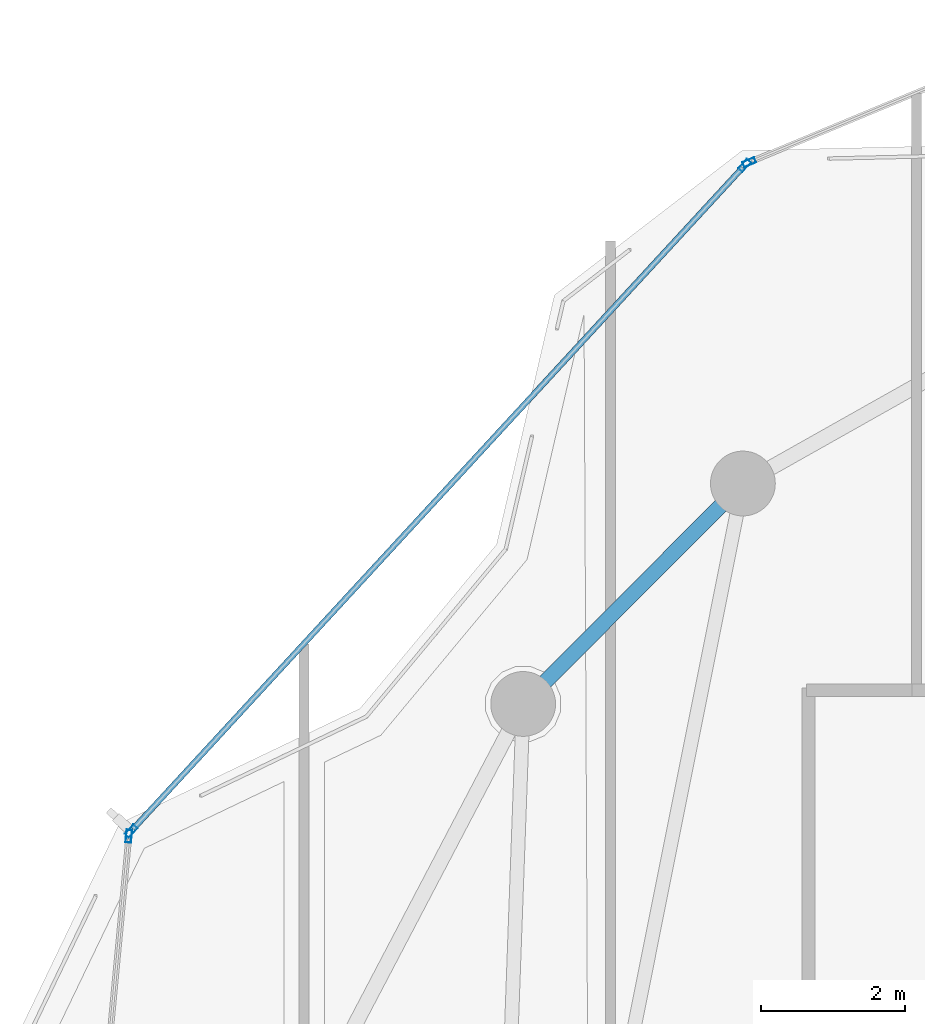
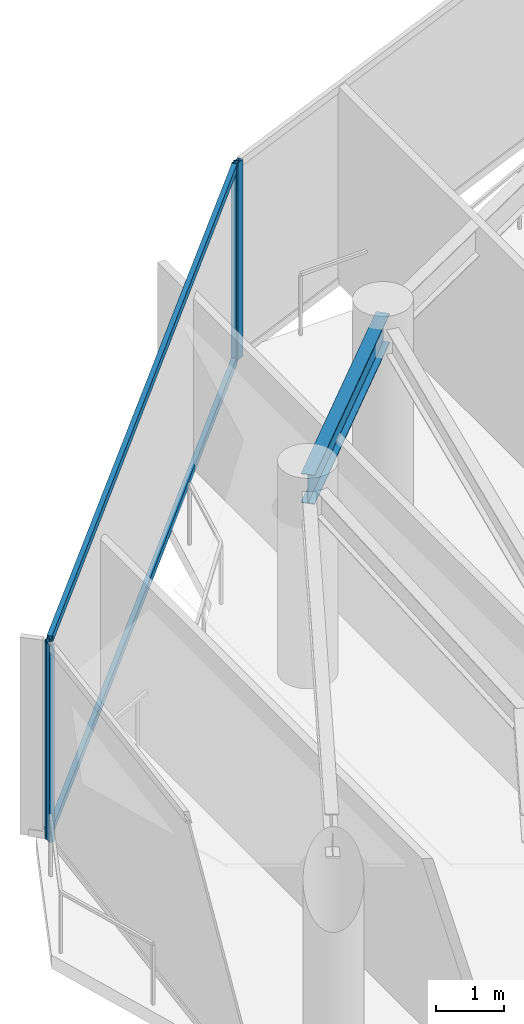
# One storey, part 14 of 23: 6 members, 1 beam, 3 elements without a shape of their own.
"""IFC4 building model written with IfcOpenShell, lengths in metres."""

from ifc_helpers import new_model, si_unit, direction, frame, origin, origin_2d, place, context, subcontext, project, spatial, hollow_rectangle, i_section, extrude, material, layer, layer_set, material_profile, profile_set, type_object, element, aggregate, save


model = new_model("IFC4")

# Units and contexts
model_context = context("Model", 3, precision=1e-05, world=origin(), true_north=direction((0.0, 1.0)))
body_context = subcontext(model_context, "Body", "Model", "MODEL_VIEW")
ifc_project = project(units=[si_unit("LENGTHUNIT", "METRE"), si_unit("AREAUNIT", "SQUARE_METRE"), si_unit("VOLUMEUNIT", "CUBIC_METRE"), si_unit("PLANEANGLEUNIT", "RADIAN"), si_unit("MASSUNIT", "GRAM", prefix="KILO")], contexts=[model_context])

# Site, building, storey
site_placement = place(None, origin())
site = spatial("IfcSite", under=ifc_project, at=site_placement, CompositionType="ELEMENT")
building_placement = place(site_placement, origin())
building = spatial("IfcBuilding", under=site, at=building_placement, Name="Kazevale Care Tower and Concert Hall", CompositionType="ELEMENT")
storey_placement = place(building_placement, frame((0.0, 0.0, 270.0)))
storey = spatial("IfcBuildingStorey", under=building, at=storey_placement, Name="L71", CompositionType="ELEMENT", Elevation=270.0)

# Curtain wall, member
ifc_material_1 = material(Name="Aluminium 6063-T6 and Low-E Glass", Category="aluminium")
ifc_layer = layer(ifc_material_1, 0.179931640625)
ifc_layer_set = layer_set([ifc_layer], Name="Aluminium 6063-T6 and Low-E Glass")
curtain_wall_type = type_object("IfcCurtainWallType", Name="Waist & Upper Residential Curtain Wall CW-4", PredefinedType="NOTDEFINED", material=ifc_layer_set)
curtain_wall_1_placement = place(storey_placement, origin())
curtain_wall_1 = element("IfcCurtainWall", 1, at=curtain_wall_1_placement, inside=storey, type_object=curtain_wall_type, Name="cw:L71:f09", PredefinedType="NOTDEFINED")
ifc_material_2 = material(Name="Aluminium 6063-T6", Category="aluminium")
ifc_material_profile_1 = material_profile(ifc_material_2, hollow_rectangle(XDim=0.080078125, YDim=0.179931640625, WallThickness=0.0048828125, at=origin_2d()), Name="ALU80x180x5")
ifc_profile_set_1 = profile_set([ifc_material_profile_1], Name="Aluminium 6063-T6")
member_type_1 = type_object("IfcMemberType", Name="CW-4 Mullion ALU80x180x5", PredefinedType="MULLION", material=ifc_profile_set_1)
member_1_placement = place(storey_placement, frame((17.066162109375, 49.47509765625, 0.0), z_axis=(0.0, 0.0, 1.0), x_axis=(-0.995549708489, 0.094237879477, 0.0)))
member_1 = element("IfcMember", 2, at=member_1_placement, type_object=member_type_1, Name="CW-4 mullion 2", PredefinedType="MULLION", context=body_context, shape_type="SweptSolid", body=[
    extrude(hollow_rectangle(XDim=0.080078125, YDim=0.179931640625, WallThickness=0.0048828125, at=origin_2d()), origin(), (0.0, 0.0, 1.0), 3.56005859375),
])
aggregate(curtain_wall_1, [member_1])

# Curtain wall, members
curtain_wall_2_placement = place(storey_placement, origin())
curtain_wall_2 = element("IfcCurtainWall", 3, at=curtain_wall_2_placement, inside=storey, type_object=curtain_wall_type, Name="cw:L71:f10", PredefinedType="NOTDEFINED")
member_2_placement = place(storey_placement, frame((17.09716796875, 49.54443359375, 0.0), z_axis=(0.0, 0.0, 1.0), x_axis=(-0.735303453484, 0.677738025563, 0.0)))
member_2 = element("IfcMember", 4, at=member_2_placement, type_object=member_type_1, Name="CW-4 mullion 1", PredefinedType="MULLION", context=body_context, shape_type="SweptSolid", body=[
    extrude(hollow_rectangle(XDim=0.080078125, YDim=0.179931640625, WallThickness=0.0048828125, at=origin_2d()), origin(), (0.0, 0.0, 1.0), 3.56005859375),
])
member_3_placement = place(storey_placement, frame((25.61376953125, 58.78466796875, 0.0), z_axis=(0.0, 0.0, 1.0), x_axis=(-0.735303453484, 0.677738025563, 0.0)))
member_3 = element("IfcMember", 5, at=member_3_placement, type_object=member_type_1, Name="CW-4 mullion 2", PredefinedType="MULLION", context=body_context, shape_type="SweptSolid", body=[
    extrude(hollow_rectangle(XDim=0.080078125, YDim=0.179931640625, WallThickness=0.0048828125, at=origin_2d()), origin(), (0.0, 0.0, 1.0), 3.56005859375),
])

# Curtain wall, member
curtain_wall_3_placement = place(storey_placement, origin())
curtain_wall_3 = element("IfcCurtainWall", 6, at=curtain_wall_3_placement, inside=storey, type_object=curtain_wall_type, Name="cw:L71:f11", PredefinedType="NOTDEFINED")
member_4_placement = place(storey_placement, frame((25.677978515625, 58.829345703125, 0.0), z_axis=(0.0, 0.0, 1.0), x_axis=(-0.384684013802, 0.923048324588, 0.0)))
member_4 = element("IfcMember", 7, at=member_4_placement, type_object=member_type_1, Name="CW-4 mullion 1", PredefinedType="MULLION", context=body_context, shape_type="SweptSolid", body=[
    extrude(hollow_rectangle(XDim=0.080078125, YDim=0.179931640625, WallThickness=0.0048828125, at=origin_2d()), origin(), (0.0, 0.0, 1.0), 3.56005859375),
])
aggregate(curtain_wall_3, [member_4])

# Member
ifc_material_profile_2 = material_profile(ifc_material_2, hollow_rectangle(XDim=0.080078125, YDim=0.139892578125, WallThickness=0.00390625, at=origin_2d()), Name="ALU80x140x4")
ifc_profile_set_2 = profile_set([ifc_material_profile_2], Name="Aluminium 6063-T6")
member_type_2 = type_object("IfcMemberType", Name="CW-4 Transom ALU80x140x4", PredefinedType="USERDEFINED", material=ifc_profile_set_2)
member_5_placement = place(storey_placement, frame((17.124267578125, 49.57373046875, 0.0400390625), z_axis=(0.677729318458, 0.735311478832, 0.0), x_axis=(-0.735311478832, 0.677729318458, 0.0)))
member_5 = element("IfcMember", 8, at=member_5_placement, type_object=member_type_2, Name="CW-4 transom 1.1", ObjectType="TRANSOM", PredefinedType="USERDEFINED", context=body_context, shape_type="SweptSolid", body=[
    extrude(hollow_rectangle(XDim=0.080078125, YDim=0.139892578125, WallThickness=0.00390625, at=origin_2d()), origin(), (0.0, 0.0, 1.0), 12.486328125),
])

member_6_placement = place(storey_placement, frame((17.124267578125, 49.57373046875, 3.52001953125), z_axis=(0.677729318458, 0.735311478832, 0.0), x_axis=(-0.735311478832, 0.677729318458, 0.0)))
member_6 = element("IfcMember", 9, at=member_6_placement, type_object=member_type_2, Name="CW-4 transom 1.2", ObjectType="TRANSOM", PredefinedType="USERDEFINED", context=body_context, shape_type="SweptSolid", body=[
    extrude(hollow_rectangle(XDim=0.080078125, YDim=0.139892578125, WallThickness=0.00390625, at=origin_2d()), origin(), (0.0, 0.0, 1.0), 12.486328125),
])

aggregate(curtain_wall_2, [member_2, member_3, member_5, member_6])

# Beam
ifc_material_3 = material(Name="Steel ASTM A572 Gr 50", Category="steel")
ifc_material_profile_3 = material_profile(ifc_material_3, i_section(OverallWidth=0.208984375, OverallDepth=0.532958984375, WebThickness=0.01025390625, FlangeThickness=0.015625, at=origin_2d()), Name="W530x92")
ifc_profile_set_3 = profile_set([ifc_material_profile_3], Name="Steel ASTM A572 Gr 50")
beam_type = type_object("IfcBeamType", Name="Upper Ring Beam W530x92", PredefinedType="BEAM", material=ifc_profile_set_3)
beam_placement = place(storey_placement, frame((25.590087890625, 54.3701171875, 3.29345703125), z_axis=(-0.705947429832, -0.708264234812, 0.0), x_axis=(0.708264234812, -0.705947429832, 0.0)))
element("IfcBeam", 10, at=beam_placement, inside=storey, type_object=beam_type, Name="beam:L71:ring:07", PredefinedType="BEAM", context=body_context, shape_type="SweptSolid", body=[
    extrude(i_section(OverallWidth=0.208984375, OverallDepth=0.532958984375, WebThickness=0.01025390625, FlangeThickness=0.015625, at=origin_2d()), origin(), (0.0, 0.0, 1.0), 4.320556640625),
])

save(model, "model.ifc")
